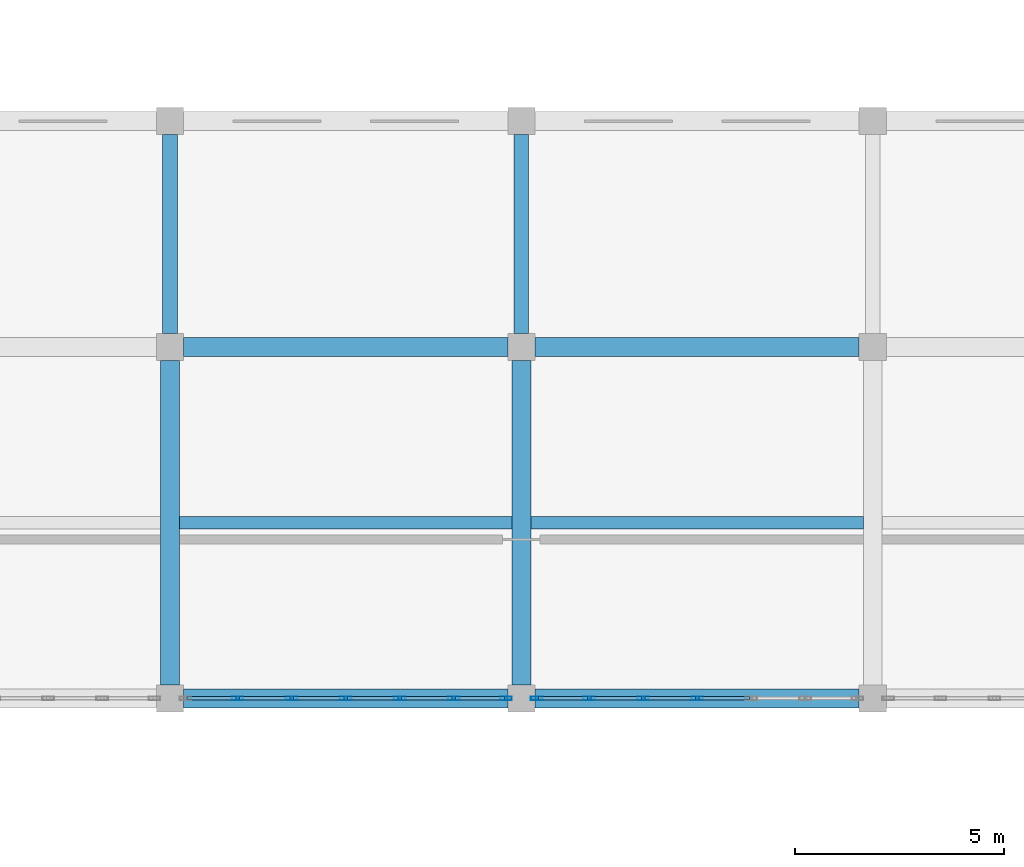
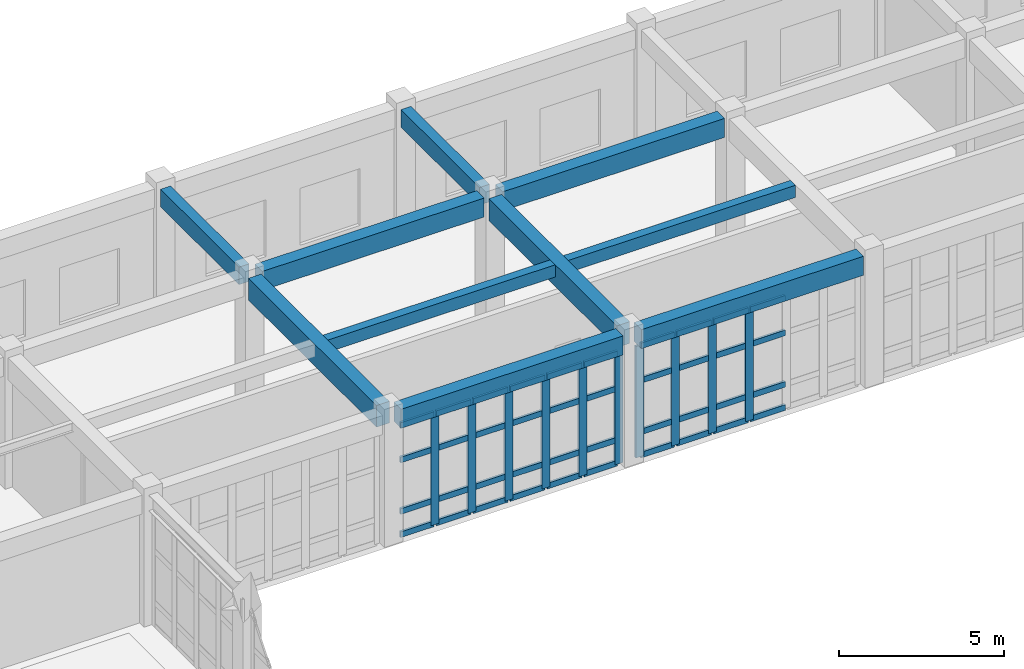
# One storey, part 33 of 80: 50 members, 10 beams, 2 elements without a shape of their own.
"""IFC4 building model written with IfcOpenShell, lengths in metres."""

from ifc_helpers import new_model, si_unit, direction, frame, origin, origin_2d, place, context, subcontext, project, spatial, rectangle, hollow_rectangle, extrude, material, layer, layer_set, material_profile, profile_set, type_object, element, aggregate, save


model = new_model("IFC4")

# Units and contexts
model_context = context("Model", 3, precision=1e-05, world=origin(), true_north=direction((0.0, 1.0)))
body_context = subcontext(model_context, "Body", "Model", "MODEL_VIEW")
ifc_project = project(units=[si_unit("LENGTHUNIT", "METRE"), si_unit("AREAUNIT", "SQUARE_METRE"), si_unit("VOLUMEUNIT", "CUBIC_METRE"), si_unit("PLANEANGLEUNIT", "RADIAN"), si_unit("MASSUNIT", "GRAM", prefix="KILO")], contexts=[model_context])

# Site, building, storey
site_placement = place(None, origin())
site = spatial("IfcSite", under=ifc_project, at=site_placement, CompositionType="ELEMENT")
building_placement = place(site_placement, origin())
building = spatial("IfcBuilding", under=site, at=building_placement, Name="Krzemoval Escarpment Law Courts", CompositionType="ELEMENT")
storey_placement = place(building_placement, origin())
storey = spatial("IfcBuildingStorey", under=building, at=storey_placement, Name="L00", CompositionType="ELEMENT", Elevation=0.0)

# Beams
ifc_material_1 = material(Name="Concrete C40/50", Category="concrete")
ifc_material_profile_1 = material_profile(ifc_material_1, rectangle(XDim=0.35009765625, YDim=0.64990234375, at=origin_2d()), Name="RCB 350x650")
ifc_profile_set_1 = profile_set([ifc_material_profile_1], Name="Concrete C40/50")
beam_type_1 = type_object("IfcBeamType", Name="BM-RC-350x650", PredefinedType="BEAM", material=ifc_profile_set_1)
for number, where, z_axis, x_axis, name in (
    (1, (50.39990234375, 108.324951171875, 4.4951171875), (0.0, 1.0, 0.0), (-1.0, 0.0, 0.0), "Beam FG-L00-0899"),
    (2, (58.800048828125, 108.324951171875, 4.4951171875), (0.0, 1.0, 0.0), (-1.0, 0.0, 0.0), "Beam FG-L00-0905"),
):
    element("IfcBeam", number, at=place(storey_placement, frame(where, z_axis=z_axis, x_axis=x_axis)), inside=storey, type_object=beam_type_1, Name=name, PredefinedType="BEAM", context=body_context, shape_type="SweptSolid", body=[
        extrude(rectangle(XDim=0.35009765625, YDim=0.64990234375, at=origin_2d()), origin(), (0.0, 0.0, 1.0), 4.75),
    ])
ifc_material_2 = material(Name="Concrete C40/50", Category="concrete")
ifc_material_profile_2 = material_profile(ifc_material_2, rectangle(XDim=0.449951171875, YDim=0.699951171875, at=origin_2d()), Name="RCB 450x700")
ifc_profile_set_2 = profile_set([ifc_material_profile_2], Name="Concrete C40/50")
beam_type_2 = type_object("IfcBeamType", Name="BM-RC-450x700", PredefinedType="BEAM", material=ifc_profile_set_2)
for number, where, z_axis, x_axis, name in (
    (3, (50.72509765625, 99.60009765625, 4.469970703125), (1.0, 0.0, 0.0), (0.0, 1.0, 0.0), "Beam FG-L00-0747"),
    (4, (59.125, 99.60009765625, 4.469970703125), (1.0, 0.0, 0.0), (0.0, 1.0, 0.0), "Beam FG-L00-0748"),
    (5, (50.72509765625, 108.0, 4.469970703125), (1.0, 0.0, 0.0), (0.0, 1.0, 0.0), "Beam FG-L00-0766"),
    (6, (59.125, 108.0, 4.469970703125), (1.0, 0.0, 0.0), (0.0, 1.0, 0.0), "Beam FG-L00-0767"),
):
    element("IfcBeam", number, at=place(storey_placement, frame(where, z_axis=z_axis, x_axis=x_axis)), inside=storey, type_object=beam_type_2, Name=name, PredefinedType="BEAM", context=body_context, shape_type="SweptSolid", body=[
        extrude(rectangle(XDim=0.449951171875, YDim=0.699951171875, at=origin_2d()), origin(), (0.0, 0.0, 1.0), 7.75),
    ])
ifc_material_3 = material(Name="Concrete C40/50", Category="concrete")
ifc_material_profile_3 = material_profile(ifc_material_3, rectangle(XDim=0.449951171875, YDim=0.800048828125, at=origin_2d()), Name="RCB 450x800")
ifc_profile_set_3 = profile_set([ifc_material_profile_3], Name="Concrete C40/50")
beam_type_3 = type_object("IfcBeamType", Name="BM-RC-450x800", PredefinedType="BEAM", material=ifc_profile_set_3)
for number, where, z_axis, x_axis, name in (
    (7, (50.39990234375, 99.925048828125, 4.419921875), (0.0, 1.0, 0.0), (-1.0, 0.0, 0.0), "Beam FG-L00-0898"),
    (8, (58.800048828125, 99.925048828125, 4.419921875), (0.0, 1.0, 0.0), (-1.0, 0.0, 0.0), "Beam FG-L00-0904"),
):
    element("IfcBeam", number, at=place(storey_placement, frame(where, z_axis=z_axis, x_axis=x_axis)), inside=storey, type_object=beam_type_3, Name=name, PredefinedType="BEAM", context=body_context, shape_type="SweptSolid", body=[
        extrude(rectangle(XDim=0.449951171875, YDim=0.800048828125, at=origin_2d()), origin(), (0.0, 0.0, 1.0), 7.75),
    ])

# Curtain wall, members
ifc_material_4 = material(Name="Aluminium 6063-T6", Category="aluminium")
ifc_layer = layer(ifc_material_4, 0.280029296875)
ifc_layer_set = layer_set([ifc_layer], Name="Aluminium 6063-T6")
curtain_wall_type = type_object("IfcCurtainWallType", Name="CW-HALL-5100", PredefinedType="USERDEFINED", material=ifc_layer_set)
curtain_wall_1_placement = place(storey_placement, origin())
curtain_wall_1 = element("IfcCurtainWall", 9, at=curtain_wall_1_placement, inside=storey, type_object=curtain_wall_type, Name="Unitised Curtain Wall FCW-L00-012", ObjectType="UNITISED_CURTAIN_WALL", PredefinedType="USERDEFINED")
ifc_material_5 = material(Name="Aluminium 6063-T6", Category="aluminium")
ifc_material_profile_4 = material_profile(ifc_material_5, hollow_rectangle(XDim=0.0849609375, YDim=0.280029296875, WallThickness=0.005615234375, at=origin_2d()), Name="ALU M85x280")
ifc_profile_set_4 = profile_set([ifc_material_profile_4], Name="Aluminium 6063-T6")
member_type_1 = type_object("IfcMemberType", Name="CWM-85x280", PredefinedType="MULLION", material=ifc_profile_set_4)
member_1_placement = place(storey_placement, frame((63.0, 99.60009765625, 0.0), z_axis=(0.0, 0.0, 1.0), x_axis=(0.0, -1.0, 0.0)))
member_1 = element("IfcMember", 10, at=member_1_placement, type_object=member_type_1, Name="FCW-L00-012 mullion 4", PredefinedType="MULLION", context=body_context, shape_type="SweptSolid", body=[
    extrude(hollow_rectangle(XDim=0.0849609375, YDim=0.280029296875, WallThickness=0.005615234375, at=origin_2d()), origin(), (0.0, 0.0, 1.0), 4.1201171875),
])
member_2_placement = place(storey_placement, frame((61.708251953125, 99.60009765625, 0.0), z_axis=(0.0, 0.0, 1.0), x_axis=(0.0, -1.0, 0.0)))
member_2 = element("IfcMember", 11, at=member_2_placement, type_object=member_type_1, Name="FCW-L00-012 mullion 5", PredefinedType="MULLION", context=body_context, shape_type="SweptSolid", body=[
    extrude(hollow_rectangle(XDim=0.0849609375, YDim=0.280029296875, WallThickness=0.005615234375, at=origin_2d()), origin(), (0.0, 0.0, 1.0), 4.1201171875),
])
member_3_placement = place(storey_placement, frame((60.416748046875, 99.60009765625, 0.0), z_axis=(0.0, 0.0, 1.0), x_axis=(0.0, -1.0, 0.0)))
member_3 = element("IfcMember", 12, at=member_3_placement, type_object=member_type_1, Name="FCW-L00-012 mullion 6", PredefinedType="MULLION", context=body_context, shape_type="SweptSolid", body=[
    extrude(hollow_rectangle(XDim=0.0849609375, YDim=0.280029296875, WallThickness=0.005615234375, at=origin_2d()), origin(), (0.0, 0.0, 1.0), 4.1201171875),
])
member_4_placement = place(storey_placement, frame((59.16748046875, 99.60009765625, 0.0), z_axis=(0.0, 0.0, 1.0), x_axis=(0.0, -1.0, 0.0)))
member_4 = element("IfcMember", 13, at=member_4_placement, type_object=member_type_1, Name="FCW-L00-012 mullion 7", PredefinedType="MULLION", context=body_context, shape_type="SweptSolid", body=[
    extrude(hollow_rectangle(XDim=0.0849609375, YDim=0.280029296875, WallThickness=0.005615234375, at=origin_2d()), origin(), (0.0, 0.0, 1.0), 4.1201171875),
])

curtain_wall_2_placement = place(storey_placement, origin())
curtain_wall_2 = element("IfcCurtainWall", 14, at=curtain_wall_2_placement, inside=storey, type_object=curtain_wall_type, Name="Unitised Curtain Wall FCW-L00-013", ObjectType="UNITISED_CURTAIN_WALL", PredefinedType="USERDEFINED")
member_5_placement = place(storey_placement, frame((58.4326171875, 99.60009765625, 0.0), z_axis=(0.0, 0.0, 1.0), x_axis=(0.0, -1.0, 0.0)))
member_5 = element("IfcMember", 15, at=member_5_placement, type_object=member_type_1, Name="FCW-L00-013 mullion 1", PredefinedType="MULLION", context=body_context, shape_type="SweptSolid", body=[
    extrude(hollow_rectangle(XDim=0.0849609375, YDim=0.280029296875, WallThickness=0.005615234375, at=origin_2d()), origin(), (0.0, 0.0, 1.0), 4.1201171875),
])
member_6_placement = place(storey_placement, frame((57.183349609375, 99.60009765625, 0.0), z_axis=(0.0, 0.0, 1.0), x_axis=(0.0, -1.0, 0.0)))
member_6 = element("IfcMember", 16, at=member_6_placement, type_object=member_type_1, Name="FCW-L00-013 mullion 2", PredefinedType="MULLION", context=body_context, shape_type="SweptSolid", body=[
    extrude(hollow_rectangle(XDim=0.0849609375, YDim=0.280029296875, WallThickness=0.005615234375, at=origin_2d()), origin(), (0.0, 0.0, 1.0), 4.1201171875),
])
member_7_placement = place(storey_placement, frame((55.8916015625, 99.60009765625, 0.0), z_axis=(0.0, 0.0, 1.0), x_axis=(0.0, -1.0, 0.0)))
member_7 = element("IfcMember", 17, at=member_7_placement, type_object=member_type_1, Name="FCW-L00-013 mullion 3", PredefinedType="MULLION", context=body_context, shape_type="SweptSolid", body=[
    extrude(hollow_rectangle(XDim=0.0849609375, YDim=0.280029296875, WallThickness=0.005615234375, at=origin_2d()), origin(), (0.0, 0.0, 1.0), 4.1201171875),
])
member_8_placement = place(storey_placement, frame((54.60009765625, 99.60009765625, 0.0), z_axis=(0.0, 0.0, 1.0), x_axis=(0.0, -1.0, 0.0)))
member_8 = element("IfcMember", 18, at=member_8_placement, type_object=member_type_1, Name="FCW-L00-013 mullion 4", PredefinedType="MULLION", context=body_context, shape_type="SweptSolid", body=[
    extrude(hollow_rectangle(XDim=0.0849609375, YDim=0.280029296875, WallThickness=0.005615234375, at=origin_2d()), origin(), (0.0, 0.0, 1.0), 4.1201171875),
])
member_9_placement = place(storey_placement, frame((53.308349609375, 99.60009765625, 0.0), z_axis=(0.0, 0.0, 1.0), x_axis=(0.0, -1.0, 0.0)))
member_9 = element("IfcMember", 19, at=member_9_placement, type_object=member_type_1, Name="FCW-L00-013 mullion 5", PredefinedType="MULLION", context=body_context, shape_type="SweptSolid", body=[
    extrude(hollow_rectangle(XDim=0.0849609375, YDim=0.280029296875, WallThickness=0.005615234375, at=origin_2d()), origin(), (0.0, 0.0, 1.0), 4.1201171875),
])
member_10_placement = place(storey_placement, frame((52.0166015625, 99.60009765625, 0.0), z_axis=(0.0, 0.0, 1.0), x_axis=(0.0, -1.0, 0.0)))
member_10 = element("IfcMember", 20, at=member_10_placement, type_object=member_type_1, Name="FCW-L00-013 mullion 6", PredefinedType="MULLION", context=body_context, shape_type="SweptSolid", body=[
    extrude(hollow_rectangle(XDim=0.0849609375, YDim=0.280029296875, WallThickness=0.005615234375, at=origin_2d()), origin(), (0.0, 0.0, 1.0), 4.1201171875),
])

# Member
ifc_material_6 = material(Name="Aluminium 6063-T6", Category="aluminium")
ifc_material_profile_5 = material_profile(ifc_material_6, hollow_rectangle(XDim=0.0849609375, YDim=0.2099609375, WallThickness=0.005615234375, at=origin_2d()), Name="ALU T85x210")
ifc_profile_set_5 = profile_set([ifc_material_profile_5], Name="Aluminium 6063-T6")
member_type_2 = type_object("IfcMemberType", Name="CWT-85x210", PredefinedType="USERDEFINED", material=ifc_profile_set_5)
member_11_placement = place(storey_placement, frame((64.249267578125, 99.60009765625, 0.04248046875), z_axis=(-1.0, 0.0, 0.0), x_axis=(0.0, -1.0, 0.0)))
member_11 = element("IfcMember", 21, at=member_11_placement, type_object=member_type_2, Name="FCW-L00-012 transom 3.1", ObjectType="TRANSOM", PredefinedType="USERDEFINED", context=body_context, shape_type="SweptSolid", body=[
    extrude(hollow_rectangle(XDim=0.0849609375, YDim=0.2099609375, WallThickness=0.005615234375, at=origin_2d()), origin(), (0.0, 0.0, 1.0), 1.206787109375),
])

member_12_placement = place(storey_placement, frame((64.249267578125, 99.60009765625, 0.89990234375), z_axis=(-1.0, 0.0, 0.0), x_axis=(0.0, -1.0, 0.0)))
member_12 = element("IfcMember", 22, at=member_12_placement, type_object=member_type_2, Name="FCW-L00-012 transom 3.2", ObjectType="TRANSOM", PredefinedType="USERDEFINED", context=body_context, shape_type="SweptSolid", body=[
    extrude(hollow_rectangle(XDim=0.0849609375, YDim=0.2099609375, WallThickness=0.005615234375, at=origin_2d()), origin(), (0.0, 0.0, 1.0), 1.206787109375),
])

member_13_placement = place(storey_placement, frame((64.249267578125, 99.60009765625, 2.800048828125), z_axis=(-1.0, 0.0, 0.0), x_axis=(0.0, -1.0, 0.0)))
member_13 = element("IfcMember", 23, at=member_13_placement, type_object=member_type_2, Name="FCW-L00-012 transom 3.3", ObjectType="TRANSOM", PredefinedType="USERDEFINED", context=body_context, shape_type="SweptSolid", body=[
    extrude(hollow_rectangle(XDim=0.0849609375, YDim=0.2099609375, WallThickness=0.005615234375, at=origin_2d()), origin(), (0.0, 0.0, 1.0), 1.206787109375),
])

member_14_placement = place(storey_placement, frame((64.249267578125, 99.60009765625, 4.077392578125), z_axis=(-1.0, 0.0, 0.0), x_axis=(0.0, -1.0, 0.0)))
member_14 = element("IfcMember", 24, at=member_14_placement, type_object=member_type_2, Name="FCW-L00-012 transom 3.4", ObjectType="TRANSOM", PredefinedType="USERDEFINED", context=body_context, shape_type="SweptSolid", body=[
    extrude(hollow_rectangle(XDim=0.0849609375, YDim=0.2099609375, WallThickness=0.005615234375, at=origin_2d()), origin(), (0.0, 0.0, 1.0), 1.206787109375),
])

member_15_placement = place(storey_placement, frame((62.95751953125, 99.60009765625, 0.04248046875), z_axis=(-1.0, 0.0, 0.0), x_axis=(0.0, -1.0, 0.0)))
member_15 = element("IfcMember", 25, at=member_15_placement, type_object=member_type_2, Name="FCW-L00-012 transom 4.1", ObjectType="TRANSOM", PredefinedType="USERDEFINED", context=body_context, shape_type="SweptSolid", body=[
    extrude(hollow_rectangle(XDim=0.0849609375, YDim=0.2099609375, WallThickness=0.005615234375, at=origin_2d()), origin(), (0.0, 0.0, 1.0), 1.206787109375),
])

member_16_placement = place(storey_placement, frame((62.95751953125, 99.60009765625, 0.89990234375), z_axis=(-1.0, 0.0, 0.0), x_axis=(0.0, -1.0, 0.0)))
member_16 = element("IfcMember", 26, at=member_16_placement, type_object=member_type_2, Name="FCW-L00-012 transom 4.2", ObjectType="TRANSOM", PredefinedType="USERDEFINED", context=body_context, shape_type="SweptSolid", body=[
    extrude(hollow_rectangle(XDim=0.0849609375, YDim=0.2099609375, WallThickness=0.005615234375, at=origin_2d()), origin(), (0.0, 0.0, 1.0), 1.206787109375),
])

member_17_placement = place(storey_placement, frame((62.95751953125, 99.60009765625, 2.800048828125), z_axis=(-1.0, 0.0, 0.0), x_axis=(0.0, -1.0, 0.0)))
member_17 = element("IfcMember", 27, at=member_17_placement, type_object=member_type_2, Name="FCW-L00-012 transom 4.3", ObjectType="TRANSOM", PredefinedType="USERDEFINED", context=body_context, shape_type="SweptSolid", body=[
    extrude(hollow_rectangle(XDim=0.0849609375, YDim=0.2099609375, WallThickness=0.005615234375, at=origin_2d()), origin(), (0.0, 0.0, 1.0), 1.206787109375),
])

member_18_placement = place(storey_placement, frame((62.95751953125, 99.60009765625, 4.077392578125), z_axis=(-1.0, 0.0, 0.0), x_axis=(0.0, -1.0, 0.0)))
member_18 = element("IfcMember", 28, at=member_18_placement, type_object=member_type_2, Name="FCW-L00-012 transom 4.4", ObjectType="TRANSOM", PredefinedType="USERDEFINED", context=body_context, shape_type="SweptSolid", body=[
    extrude(hollow_rectangle(XDim=0.0849609375, YDim=0.2099609375, WallThickness=0.005615234375, at=origin_2d()), origin(), (0.0, 0.0, 1.0), 1.206787109375),
])

member_19_placement = place(storey_placement, frame((61.665771484375, 99.60009765625, 0.04248046875), z_axis=(-1.0, 0.0, 0.0), x_axis=(0.0, -1.0, 0.0)))
member_19 = element("IfcMember", 29, at=member_19_placement, type_object=member_type_2, Name="FCW-L00-012 transom 5.1", ObjectType="TRANSOM", PredefinedType="USERDEFINED", context=body_context, shape_type="SweptSolid", body=[
    extrude(hollow_rectangle(XDim=0.0849609375, YDim=0.2099609375, WallThickness=0.005615234375, at=origin_2d()), origin(), (0.0, 0.0, 1.0), 1.20654296875),
])

member_20_placement = place(storey_placement, frame((61.665771484375, 99.60009765625, 0.89990234375), z_axis=(-1.0, 0.0, 0.0), x_axis=(0.0, -1.0, 0.0)))
member_20 = element("IfcMember", 30, at=member_20_placement, type_object=member_type_2, Name="FCW-L00-012 transom 5.2", ObjectType="TRANSOM", PredefinedType="USERDEFINED", context=body_context, shape_type="SweptSolid", body=[
    extrude(hollow_rectangle(XDim=0.0849609375, YDim=0.2099609375, WallThickness=0.005615234375, at=origin_2d()), origin(), (0.0, 0.0, 1.0), 1.20654296875),
])

member_21_placement = place(storey_placement, frame((61.665771484375, 99.60009765625, 2.800048828125), z_axis=(-1.0, 0.0, 0.0), x_axis=(0.0, -1.0, 0.0)))
member_21 = element("IfcMember", 31, at=member_21_placement, type_object=member_type_2, Name="FCW-L00-012 transom 5.3", ObjectType="TRANSOM", PredefinedType="USERDEFINED", context=body_context, shape_type="SweptSolid", body=[
    extrude(hollow_rectangle(XDim=0.0849609375, YDim=0.2099609375, WallThickness=0.005615234375, at=origin_2d()), origin(), (0.0, 0.0, 1.0), 1.20654296875),
])

member_22_placement = place(storey_placement, frame((61.665771484375, 99.60009765625, 4.077392578125), z_axis=(-1.0, 0.0, 0.0), x_axis=(0.0, -1.0, 0.0)))
member_22 = element("IfcMember", 32, at=member_22_placement, type_object=member_type_2, Name="FCW-L00-012 transom 5.4", ObjectType="TRANSOM", PredefinedType="USERDEFINED", context=body_context, shape_type="SweptSolid", body=[
    extrude(hollow_rectangle(XDim=0.0849609375, YDim=0.2099609375, WallThickness=0.005615234375, at=origin_2d()), origin(), (0.0, 0.0, 1.0), 1.20654296875),
])

member_23_placement = place(storey_placement, frame((60.374267578125, 99.60009765625, 0.04248046875), z_axis=(-1.0, 0.0, 0.0), x_axis=(0.0, -1.0, 0.0)))
member_23 = element("IfcMember", 33, at=member_23_placement, type_object=member_type_2, Name="FCW-L00-012 transom 6.1", ObjectType="TRANSOM", PredefinedType="USERDEFINED", context=body_context, shape_type="SweptSolid", body=[
    extrude(hollow_rectangle(XDim=0.0849609375, YDim=0.2099609375, WallThickness=0.005615234375, at=origin_2d()), origin(), (0.0, 0.0, 1.0), 1.164306640625),
])

member_24_placement = place(storey_placement, frame((60.374267578125, 99.60009765625, 0.89990234375), z_axis=(-1.0, 0.0, 0.0), x_axis=(0.0, -1.0, 0.0)))
member_24 = element("IfcMember", 34, at=member_24_placement, type_object=member_type_2, Name="FCW-L00-012 transom 6.2", ObjectType="TRANSOM", PredefinedType="USERDEFINED", context=body_context, shape_type="SweptSolid", body=[
    extrude(hollow_rectangle(XDim=0.0849609375, YDim=0.2099609375, WallThickness=0.005615234375, at=origin_2d()), origin(), (0.0, 0.0, 1.0), 1.164306640625),
])

member_25_placement = place(storey_placement, frame((60.374267578125, 99.60009765625, 2.800048828125), z_axis=(-1.0, 0.0, 0.0), x_axis=(0.0, -1.0, 0.0)))
member_25 = element("IfcMember", 35, at=member_25_placement, type_object=member_type_2, Name="FCW-L00-012 transom 6.3", ObjectType="TRANSOM", PredefinedType="USERDEFINED", context=body_context, shape_type="SweptSolid", body=[
    extrude(hollow_rectangle(XDim=0.0849609375, YDim=0.2099609375, WallThickness=0.005615234375, at=origin_2d()), origin(), (0.0, 0.0, 1.0), 1.164306640625),
])

member_26_placement = place(storey_placement, frame((60.374267578125, 99.60009765625, 4.077392578125), z_axis=(-1.0, 0.0, 0.0), x_axis=(0.0, -1.0, 0.0)))
member_26 = element("IfcMember", 36, at=member_26_placement, type_object=member_type_2, Name="FCW-L00-012 transom 6.4", ObjectType="TRANSOM", PredefinedType="USERDEFINED", context=body_context, shape_type="SweptSolid", body=[
    extrude(hollow_rectangle(XDim=0.0849609375, YDim=0.2099609375, WallThickness=0.005615234375, at=origin_2d()), origin(), (0.0, 0.0, 1.0), 1.164306640625),
])

aggregate(curtain_wall_1, [member_1, member_2, member_3, member_4, member_11, member_12, member_13, member_14, member_15, member_16, member_17, member_18, member_19, member_20, member_21, member_22, member_23, member_24, member_25, member_26])

member_27_placement = place(storey_placement, frame((58.389892578125, 99.60009765625, 0.04248046875), z_axis=(-1.0, 0.0, 0.0), x_axis=(0.0, -1.0, 0.0)))
member_27 = element("IfcMember", 37, at=member_27_placement, type_object=member_type_2, Name="FCW-L00-013 transom 1.1", ObjectType="TRANSOM", PredefinedType="USERDEFINED", context=body_context, shape_type="SweptSolid", body=[
    extrude(hollow_rectangle(XDim=0.0849609375, YDim=0.2099609375, WallThickness=0.005615234375, at=origin_2d()), origin(), (0.0, 0.0, 1.0), 1.1640625),
])

member_28_placement = place(storey_placement, frame((58.389892578125, 99.60009765625, 0.89990234375), z_axis=(-1.0, 0.0, 0.0), x_axis=(0.0, -1.0, 0.0)))
member_28 = element("IfcMember", 38, at=member_28_placement, type_object=member_type_2, Name="FCW-L00-013 transom 1.2", ObjectType="TRANSOM", PredefinedType="USERDEFINED", context=body_context, shape_type="SweptSolid", body=[
    extrude(hollow_rectangle(XDim=0.0849609375, YDim=0.2099609375, WallThickness=0.005615234375, at=origin_2d()), origin(), (0.0, 0.0, 1.0), 1.1640625),
])

member_29_placement = place(storey_placement, frame((58.389892578125, 99.60009765625, 2.800048828125), z_axis=(-1.0, 0.0, 0.0), x_axis=(0.0, -1.0, 0.0)))
member_29 = element("IfcMember", 39, at=member_29_placement, type_object=member_type_2, Name="FCW-L00-013 transom 1.3", ObjectType="TRANSOM", PredefinedType="USERDEFINED", context=body_context, shape_type="SweptSolid", body=[
    extrude(hollow_rectangle(XDim=0.0849609375, YDim=0.2099609375, WallThickness=0.005615234375, at=origin_2d()), origin(), (0.0, 0.0, 1.0), 1.1640625),
])

member_30_placement = place(storey_placement, frame((58.389892578125, 99.60009765625, 4.077392578125), z_axis=(-1.0, 0.0, 0.0), x_axis=(0.0, -1.0, 0.0)))
member_30 = element("IfcMember", 40, at=member_30_placement, type_object=member_type_2, Name="FCW-L00-013 transom 1.4", ObjectType="TRANSOM", PredefinedType="USERDEFINED", context=body_context, shape_type="SweptSolid", body=[
    extrude(hollow_rectangle(XDim=0.0849609375, YDim=0.2099609375, WallThickness=0.005615234375, at=origin_2d()), origin(), (0.0, 0.0, 1.0), 1.1640625),
])

member_31_placement = place(storey_placement, frame((57.140869140625, 99.60009765625, 0.04248046875), z_axis=(-1.0, 0.0, 0.0), x_axis=(0.0, -1.0, 0.0)))
member_31 = element("IfcMember", 41, at=member_31_placement, type_object=member_type_2, Name="FCW-L00-013 transom 2.1", ObjectType="TRANSOM", PredefinedType="USERDEFINED", context=body_context, shape_type="SweptSolid", body=[
    extrude(hollow_rectangle(XDim=0.0849609375, YDim=0.2099609375, WallThickness=0.005615234375, at=origin_2d()), origin(), (0.0, 0.0, 1.0), 1.206787109375),
])

member_32_placement = place(storey_placement, frame((57.140869140625, 99.60009765625, 0.89990234375), z_axis=(-1.0, 0.0, 0.0), x_axis=(0.0, -1.0, 0.0)))
member_32 = element("IfcMember", 42, at=member_32_placement, type_object=member_type_2, Name="FCW-L00-013 transom 2.2", ObjectType="TRANSOM", PredefinedType="USERDEFINED", context=body_context, shape_type="SweptSolid", body=[
    extrude(hollow_rectangle(XDim=0.0849609375, YDim=0.2099609375, WallThickness=0.005615234375, at=origin_2d()), origin(), (0.0, 0.0, 1.0), 1.206787109375),
])

member_33_placement = place(storey_placement, frame((57.140869140625, 99.60009765625, 2.800048828125), z_axis=(-1.0, 0.0, 0.0), x_axis=(0.0, -1.0, 0.0)))
member_33 = element("IfcMember", 43, at=member_33_placement, type_object=member_type_2, Name="FCW-L00-013 transom 2.3", ObjectType="TRANSOM", PredefinedType="USERDEFINED", context=body_context, shape_type="SweptSolid", body=[
    extrude(hollow_rectangle(XDim=0.0849609375, YDim=0.2099609375, WallThickness=0.005615234375, at=origin_2d()), origin(), (0.0, 0.0, 1.0), 1.206787109375),
])

member_34_placement = place(storey_placement, frame((57.140869140625, 99.60009765625, 4.077392578125), z_axis=(-1.0, 0.0, 0.0), x_axis=(0.0, -1.0, 0.0)))
member_34 = element("IfcMember", 44, at=member_34_placement, type_object=member_type_2, Name="FCW-L00-013 transom 2.4", ObjectType="TRANSOM", PredefinedType="USERDEFINED", context=body_context, shape_type="SweptSolid", body=[
    extrude(hollow_rectangle(XDim=0.0849609375, YDim=0.2099609375, WallThickness=0.005615234375, at=origin_2d()), origin(), (0.0, 0.0, 1.0), 1.206787109375),
])

member_35_placement = place(storey_placement, frame((55.84912109375, 99.60009765625, 0.04248046875), z_axis=(-1.0, 0.0, 0.0), x_axis=(0.0, -1.0, 0.0)))
member_35 = element("IfcMember", 45, at=member_35_placement, type_object=member_type_2, Name="FCW-L00-013 transom 3.1", ObjectType="TRANSOM", PredefinedType="USERDEFINED", context=body_context, shape_type="SweptSolid", body=[
    extrude(hollow_rectangle(XDim=0.0849609375, YDim=0.2099609375, WallThickness=0.005615234375, at=origin_2d()), origin(), (0.0, 0.0, 1.0), 1.20654296875),
])

member_36_placement = place(storey_placement, frame((55.84912109375, 99.60009765625, 0.89990234375), z_axis=(-1.0, 0.0, 0.0), x_axis=(0.0, -1.0, 0.0)))
member_36 = element("IfcMember", 46, at=member_36_placement, type_object=member_type_2, Name="FCW-L00-013 transom 3.2", ObjectType="TRANSOM", PredefinedType="USERDEFINED", context=body_context, shape_type="SweptSolid", body=[
    extrude(hollow_rectangle(XDim=0.0849609375, YDim=0.2099609375, WallThickness=0.005615234375, at=origin_2d()), origin(), (0.0, 0.0, 1.0), 1.20654296875),
])

member_37_placement = place(storey_placement, frame((55.84912109375, 99.60009765625, 2.800048828125), z_axis=(-1.0, 0.0, 0.0), x_axis=(0.0, -1.0, 0.0)))
member_37 = element("IfcMember", 47, at=member_37_placement, type_object=member_type_2, Name="FCW-L00-013 transom 3.3", ObjectType="TRANSOM", PredefinedType="USERDEFINED", context=body_context, shape_type="SweptSolid", body=[
    extrude(hollow_rectangle(XDim=0.0849609375, YDim=0.2099609375, WallThickness=0.005615234375, at=origin_2d()), origin(), (0.0, 0.0, 1.0), 1.20654296875),
])

member_38_placement = place(storey_placement, frame((55.84912109375, 99.60009765625, 4.077392578125), z_axis=(-1.0, 0.0, 0.0), x_axis=(0.0, -1.0, 0.0)))
member_38 = element("IfcMember", 48, at=member_38_placement, type_object=member_type_2, Name="FCW-L00-013 transom 3.4", ObjectType="TRANSOM", PredefinedType="USERDEFINED", context=body_context, shape_type="SweptSolid", body=[
    extrude(hollow_rectangle(XDim=0.0849609375, YDim=0.2099609375, WallThickness=0.005615234375, at=origin_2d()), origin(), (0.0, 0.0, 1.0), 1.20654296875),
])

member_39_placement = place(storey_placement, frame((54.5576171875, 99.60009765625, 0.04248046875), z_axis=(-1.0, 0.0, 0.0), x_axis=(0.0, -1.0, 0.0)))
member_39 = element("IfcMember", 49, at=member_39_placement, type_object=member_type_2, Name="FCW-L00-013 transom 4.1", ObjectType="TRANSOM", PredefinedType="USERDEFINED", context=body_context, shape_type="SweptSolid", body=[
    extrude(hollow_rectangle(XDim=0.0849609375, YDim=0.2099609375, WallThickness=0.005615234375, at=origin_2d()), origin(), (0.0, 0.0, 1.0), 1.206787109375),
])

member_40_placement = place(storey_placement, frame((54.5576171875, 99.60009765625, 0.89990234375), z_axis=(-1.0, 0.0, 0.0), x_axis=(0.0, -1.0, 0.0)))
member_40 = element("IfcMember", 50, at=member_40_placement, type_object=member_type_2, Name="FCW-L00-013 transom 4.2", ObjectType="TRANSOM", PredefinedType="USERDEFINED", context=body_context, shape_type="SweptSolid", body=[
    extrude(hollow_rectangle(XDim=0.0849609375, YDim=0.2099609375, WallThickness=0.005615234375, at=origin_2d()), origin(), (0.0, 0.0, 1.0), 1.206787109375),
])

member_41_placement = place(storey_placement, frame((54.5576171875, 99.60009765625, 2.800048828125), z_axis=(-1.0, 0.0, 0.0), x_axis=(0.0, -1.0, 0.0)))
member_41 = element("IfcMember", 51, at=member_41_placement, type_object=member_type_2, Name="FCW-L00-013 transom 4.3", ObjectType="TRANSOM", PredefinedType="USERDEFINED", context=body_context, shape_type="SweptSolid", body=[
    extrude(hollow_rectangle(XDim=0.0849609375, YDim=0.2099609375, WallThickness=0.005615234375, at=origin_2d()), origin(), (0.0, 0.0, 1.0), 1.206787109375),
])

member_42_placement = place(storey_placement, frame((54.5576171875, 99.60009765625, 4.077392578125), z_axis=(-1.0, 0.0, 0.0), x_axis=(0.0, -1.0, 0.0)))
member_42 = element("IfcMember", 52, at=member_42_placement, type_object=member_type_2, Name="FCW-L00-013 transom 4.4", ObjectType="TRANSOM", PredefinedType="USERDEFINED", context=body_context, shape_type="SweptSolid", body=[
    extrude(hollow_rectangle(XDim=0.0849609375, YDim=0.2099609375, WallThickness=0.005615234375, at=origin_2d()), origin(), (0.0, 0.0, 1.0), 1.206787109375),
])

member_43_placement = place(storey_placement, frame((53.265869140625, 99.60009765625, 0.04248046875), z_axis=(-1.0, 0.0, 0.0), x_axis=(0.0, -1.0, 0.0)))
member_43 = element("IfcMember", 53, at=member_43_placement, type_object=member_type_2, Name="FCW-L00-013 transom 5.1", ObjectType="TRANSOM", PredefinedType="USERDEFINED", context=body_context, shape_type="SweptSolid", body=[
    extrude(hollow_rectangle(XDim=0.0849609375, YDim=0.2099609375, WallThickness=0.005615234375, at=origin_2d()), origin(), (0.0, 0.0, 1.0), 1.206787109375),
])

member_44_placement = place(storey_placement, frame((53.265869140625, 99.60009765625, 0.89990234375), z_axis=(-1.0, 0.0, 0.0), x_axis=(0.0, -1.0, 0.0)))
member_44 = element("IfcMember", 54, at=member_44_placement, type_object=member_type_2, Name="FCW-L00-013 transom 5.2", ObjectType="TRANSOM", PredefinedType="USERDEFINED", context=body_context, shape_type="SweptSolid", body=[
    extrude(hollow_rectangle(XDim=0.0849609375, YDim=0.2099609375, WallThickness=0.005615234375, at=origin_2d()), origin(), (0.0, 0.0, 1.0), 1.206787109375),
])

member_45_placement = place(storey_placement, frame((53.265869140625, 99.60009765625, 2.800048828125), z_axis=(-1.0, 0.0, 0.0), x_axis=(0.0, -1.0, 0.0)))
member_45 = element("IfcMember", 55, at=member_45_placement, type_object=member_type_2, Name="FCW-L00-013 transom 5.3", ObjectType="TRANSOM", PredefinedType="USERDEFINED", context=body_context, shape_type="SweptSolid", body=[
    extrude(hollow_rectangle(XDim=0.0849609375, YDim=0.2099609375, WallThickness=0.005615234375, at=origin_2d()), origin(), (0.0, 0.0, 1.0), 1.206787109375),
])

member_46_placement = place(storey_placement, frame((53.265869140625, 99.60009765625, 4.077392578125), z_axis=(-1.0, 0.0, 0.0), x_axis=(0.0, -1.0, 0.0)))
member_46 = element("IfcMember", 56, at=member_46_placement, type_object=member_type_2, Name="FCW-L00-013 transom 5.4", ObjectType="TRANSOM", PredefinedType="USERDEFINED", context=body_context, shape_type="SweptSolid", body=[
    extrude(hollow_rectangle(XDim=0.0849609375, YDim=0.2099609375, WallThickness=0.005615234375, at=origin_2d()), origin(), (0.0, 0.0, 1.0), 1.206787109375),
])

member_47_placement = place(storey_placement, frame((51.97412109375, 99.60009765625, 0.04248046875), z_axis=(-1.0, 0.0, 0.0), x_axis=(0.0, -1.0, 0.0)))
member_47 = element("IfcMember", 57, at=member_47_placement, type_object=member_type_2, Name="FCW-L00-013 transom 6.1", ObjectType="TRANSOM", PredefinedType="USERDEFINED", context=body_context, shape_type="SweptSolid", body=[
    extrude(hollow_rectangle(XDim=0.0849609375, YDim=0.2099609375, WallThickness=0.005615234375, at=origin_2d()), origin(), (0.0, 0.0, 1.0), 1.1640625),
])

member_48_placement = place(storey_placement, frame((51.97412109375, 99.60009765625, 0.89990234375), z_axis=(-1.0, 0.0, 0.0), x_axis=(0.0, -1.0, 0.0)))
member_48 = element("IfcMember", 58, at=member_48_placement, type_object=member_type_2, Name="FCW-L00-013 transom 6.2", ObjectType="TRANSOM", PredefinedType="USERDEFINED", context=body_context, shape_type="SweptSolid", body=[
    extrude(hollow_rectangle(XDim=0.0849609375, YDim=0.2099609375, WallThickness=0.005615234375, at=origin_2d()), origin(), (0.0, 0.0, 1.0), 1.1640625),
])

member_49_placement = place(storey_placement, frame((51.97412109375, 99.60009765625, 2.800048828125), z_axis=(-1.0, 0.0, 0.0), x_axis=(0.0, -1.0, 0.0)))
member_49 = element("IfcMember", 59, at=member_49_placement, type_object=member_type_2, Name="FCW-L00-013 transom 6.3", ObjectType="TRANSOM", PredefinedType="USERDEFINED", context=body_context, shape_type="SweptSolid", body=[
    extrude(hollow_rectangle(XDim=0.0849609375, YDim=0.2099609375, WallThickness=0.005615234375, at=origin_2d()), origin(), (0.0, 0.0, 1.0), 1.1640625),
])

member_50_placement = place(storey_placement, frame((51.97412109375, 99.60009765625, 4.077392578125), z_axis=(-1.0, 0.0, 0.0), x_axis=(0.0, -1.0, 0.0)))
member_50 = element("IfcMember", 60, at=member_50_placement, type_object=member_type_2, Name="FCW-L00-013 transom 6.4", ObjectType="TRANSOM", PredefinedType="USERDEFINED", context=body_context, shape_type="SweptSolid", body=[
    extrude(hollow_rectangle(XDim=0.0849609375, YDim=0.2099609375, WallThickness=0.005615234375, at=origin_2d()), origin(), (0.0, 0.0, 1.0), 1.1640625),
])

aggregate(curtain_wall_2, [member_5, member_6, member_7, member_8, member_9, member_10, member_27, member_28, member_29, member_30, member_31, member_32, member_33, member_34, member_35, member_36, member_37, member_38, member_39, member_40, member_41, member_42, member_43, member_44, member_45, member_46, member_47, member_48, member_49, member_50])

# Beams
ifc_material_7 = material(Name="Concrete C40/50", Category="concrete")
ifc_material_profile_6 = material_profile(ifc_material_7, rectangle(XDim=0.300048828125, YDim=0.449951171875, at=origin_2d()), Name="RCB 300x450")
ifc_profile_set_6 = profile_set([ifc_material_profile_6], Name="Concrete C40/50")
beam_type_4 = type_object("IfcBeamType", Name="JST-RC-300x450", PredefinedType="JOIST", material=ifc_profile_set_6)
beam_1_placement = place(storey_placement, frame((50.625, 103.800048828125, 4.594970703125), z_axis=(1.0, 0.0, 0.0), x_axis=(0.0, 1.0, 0.0)))
element("IfcBeam", 61, at=beam_1_placement, inside=storey, type_object=beam_type_4, Name="Secondary Joist FJ-L00-1082", PredefinedType="JOIST", context=body_context, shape_type="SweptSolid", body=[
    extrude(rectangle(XDim=0.300048828125, YDim=0.449951171875, at=origin_2d()), origin(), (0.0, 0.0, 1.0), 7.949951171875),
])
beam_2_placement = place(storey_placement, frame((59.02490234375, 103.800048828125, 4.594970703125), z_axis=(1.0, 0.0, 0.0), x_axis=(0.0, 1.0, 0.0)))
element("IfcBeam", 62, at=beam_2_placement, inside=storey, type_object=beam_type_4, Name="Secondary Joist FJ-L00-1087", PredefinedType="JOIST", context=body_context, shape_type="SweptSolid", body=[
    extrude(rectangle(XDim=0.300048828125, YDim=0.449951171875, at=origin_2d()), origin(), (0.0, 0.0, 1.0), 7.9501953125),
])

save(model, "model.ifc")
